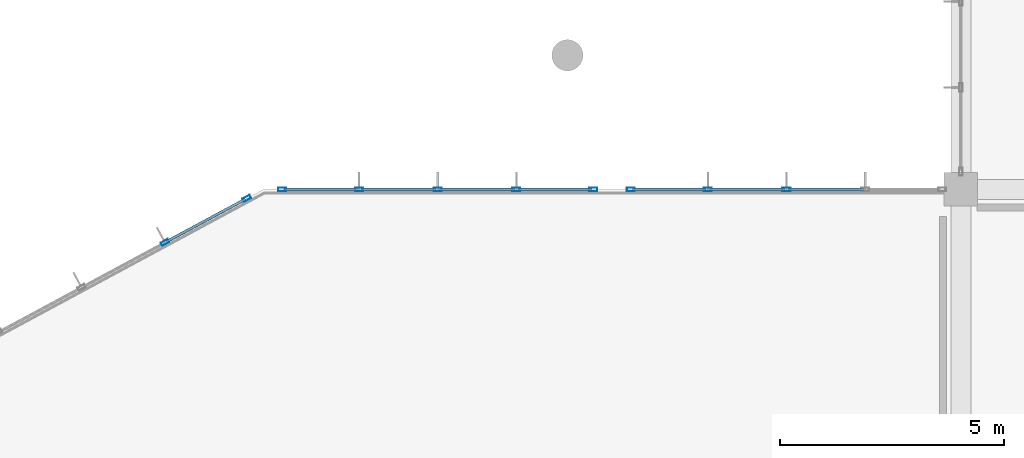
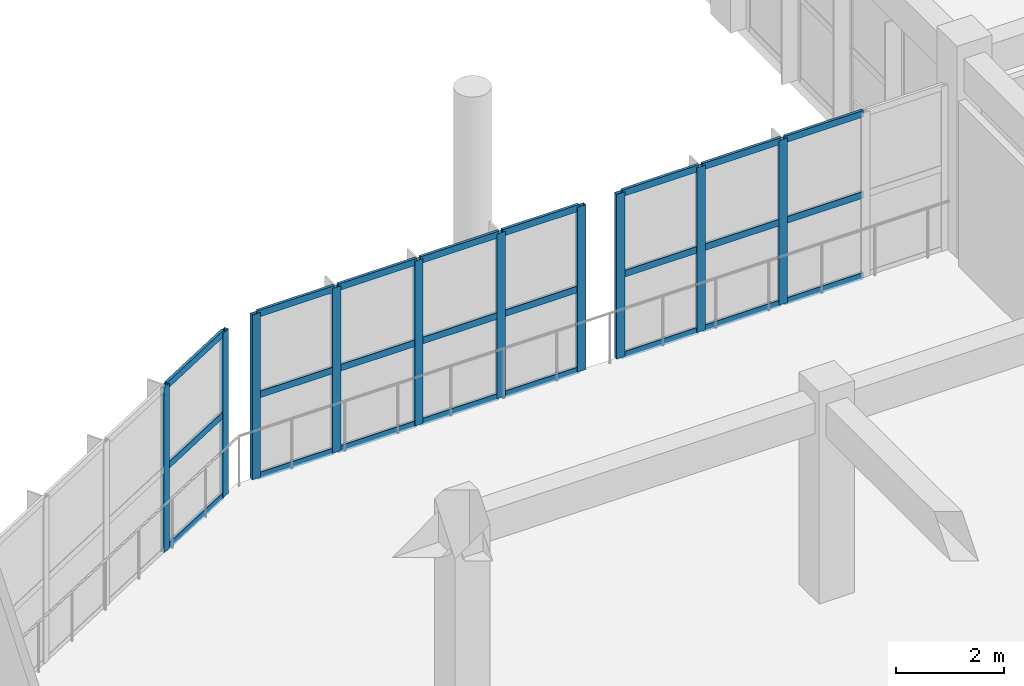
# One storey, part 46 of 167: 34 members, 3 elements without a shape of their own.
"""IFC4 building model written with IfcOpenShell, lengths in metres."""

from ifc_helpers import new_model, si_unit, direction, frame, origin, origin_2d, place, context, subcontext, project, spatial, hollow_rectangle, extrude, material, layer, layer_set, material_profile, profile_set, type_object, element, aggregate, save


model = new_model("IFC4")

# Units and contexts
model_context = context("Model", 3, precision=1e-05, world=origin(), true_north=direction((0.0, 1.0)))
body_context = subcontext(model_context, "Body", "Model", "MODEL_VIEW")
ifc_project = project(units=[si_unit("LENGTHUNIT", "METRE"), si_unit("AREAUNIT", "SQUARE_METRE"), si_unit("VOLUMEUNIT", "CUBIC_METRE"), si_unit("PLANEANGLEUNIT", "RADIAN"), si_unit("MASSUNIT", "GRAM", prefix="KILO")], contexts=[model_context])

# Site, building, storey
site_placement = place(None, origin())
site = spatial("IfcSite", under=ifc_project, at=site_placement, CompositionType="ELEMENT")
building_placement = place(site_placement, origin())
building = spatial("IfcBuilding", under=site, at=building_placement, Name="Zizhar Promenade General Hospital", CompositionType="ELEMENT")
storey_placement = place(building_placement, frame((0.0, 0.0, 9.60009765625)))
storey = spatial("IfcBuildingStorey", under=building, at=storey_placement, Name="L02", CompositionType="ELEMENT", Elevation=9.60009765625)

# Curtain wall, members
ifc_material_1 = material(Name="Anodised aluminium 6063-T6 and low-E glass", Category="aluminium")
ifc_layer = layer(ifc_material_1, 0.159912109375)
ifc_layer_set = layer_set([ifc_layer], Name="Anodised aluminium 6063-T6 and low-E glass")
curtain_wall_type = type_object("IfcCurtainWallType", Name="CW-DT-MOD2", PredefinedType="NOTDEFINED", material=ifc_layer_set)
curtain_wall_1_placement = place(storey_placement, origin())
curtain_wall_1 = element("IfcCurtainWall", 1, at=curtain_wall_1_placement, inside=storey, type_object=curtain_wall_type, Name="West Diagnostic Arm Glazed Curtain Wall L02-NW3", PredefinedType="NOTDEFINED")
ifc_material_2 = material(Name="Anodised aluminium 6063-T6", Category="aluminium")
ifc_material_profile_1 = material_profile(ifc_material_2, hollow_rectangle(XDim=0.080078125, YDim=0.179931640625, WallThickness=0.0048828125, at=origin_2d()))
ifc_profile_set_1 = profile_set([ifc_material_profile_1], Name="Anodised aluminium 6063-T6")
member_type_1 = type_object("IfcMemberType", Name="CWM-ALU-180x80", PredefinedType="MULLION", material=ifc_profile_set_1)
member_1_placement = place(storey_placement, frame((28.9990234375, 82.81494140625, 0.0), z_axis=(0.0, 0.0, 1.0), x_axis=(-0.474097009774, 0.880472614749, 0.0)))
member_1 = element("IfcMember", 2, at=member_1_placement, type_object=member_type_1, Name="CW-08 mullion 8", PredefinedType="MULLION", context=body_context, shape_type="SweptSolid", body=[
    extrude(hollow_rectangle(XDim=0.080078125, YDim=0.179931640625, WallThickness=0.0048828125, at=origin_2d()), origin(), (0.0, 0.0, 1.0), 3.72998046875),
])
member_2_placement = place(storey_placement, frame((30.830078125, 83.80078125, 0.0), z_axis=(0.0, 0.0, 1.0), x_axis=(-0.474097009774, 0.880472614749, 0.0)))
member_2 = element("IfcMember", 3, at=member_2_placement, type_object=member_type_1, Name="CW-08 mullion 9", PredefinedType="MULLION", context=body_context, shape_type="SweptSolid", body=[
    extrude(hollow_rectangle(XDim=0.080078125, YDim=0.179931640625, WallThickness=0.0048828125, at=origin_2d()), origin(), (0.0, 0.0, 1.0), 3.72998046875),
])

curtain_wall_2_placement = place(storey_placement, origin())
curtain_wall_2 = element("IfcCurtainWall", 4, at=curtain_wall_2_placement, inside=storey, type_object=curtain_wall_type, Name="West Diagnostic Arm Glazed Curtain Wall L02-N1", PredefinedType="NOTDEFINED")
member_3_placement = place(storey_placement, frame((31.6201171875, 84.0, 0.0), z_axis=(0.0, 0.0, 1.0), x_axis=(0.0, 1.0, 0.0)))
member_3 = element("IfcMember", 5, at=member_3_placement, type_object=member_type_1, Name="CW-08 mullion 1", PredefinedType="MULLION", context=body_context, shape_type="SweptSolid", body=[
    extrude(hollow_rectangle(XDim=0.080078125, YDim=0.179931640625, WallThickness=0.0048828125, at=origin_2d()), origin(), (0.0, 0.0, 1.0), 3.72998046875),
])
member_4_placement = place(storey_placement, frame((33.340087890625, 84.0, 0.0), z_axis=(0.0, 0.0, 1.0), x_axis=(0.0, 1.0, 0.0)))
member_4 = element("IfcMember", 6, at=member_4_placement, type_object=member_type_1, Name="CW-08 mullion 2", PredefinedType="MULLION", context=body_context, shape_type="SweptSolid", body=[
    extrude(hollow_rectangle(XDim=0.080078125, YDim=0.179931640625, WallThickness=0.0048828125, at=origin_2d()), origin(), (0.0, 0.0, 1.0), 3.72998046875),
])
member_5_placement = place(storey_placement, frame((35.10009765625, 84.0, 0.0), z_axis=(0.0, 0.0, 1.0), x_axis=(0.0, 1.0, 0.0)))
member_5 = element("IfcMember", 7, at=member_5_placement, type_object=member_type_1, Name="CW-08 mullion 3", PredefinedType="MULLION", context=body_context, shape_type="SweptSolid", body=[
    extrude(hollow_rectangle(XDim=0.080078125, YDim=0.179931640625, WallThickness=0.0048828125, at=origin_2d()), origin(), (0.0, 0.0, 1.0), 3.72998046875),
])
member_6_placement = place(storey_placement, frame((36.860107421875, 84.0, 0.0), z_axis=(0.0, 0.0, 1.0), x_axis=(0.0, 1.0, 0.0)))
member_6 = element("IfcMember", 8, at=member_6_placement, type_object=member_type_1, Name="CW-08 mullion 4", PredefinedType="MULLION", context=body_context, shape_type="SweptSolid", body=[
    extrude(hollow_rectangle(XDim=0.080078125, YDim=0.179931640625, WallThickness=0.0048828125, at=origin_2d()), origin(), (0.0, 0.0, 1.0), 3.72998046875),
])
member_7_placement = place(storey_placement, frame((38.580078125, 84.0, 0.0), z_axis=(0.0, 0.0, 1.0), x_axis=(0.0, 1.0, 0.0)))
member_7 = element("IfcMember", 9, at=member_7_placement, type_object=member_type_1, Name="CW-08 mullion 5", PredefinedType="MULLION", context=body_context, shape_type="SweptSolid", body=[
    extrude(hollow_rectangle(XDim=0.080078125, YDim=0.179931640625, WallThickness=0.0048828125, at=origin_2d()), origin(), (0.0, 0.0, 1.0), 3.72998046875),
])

curtain_wall_3_placement = place(storey_placement, origin())
curtain_wall_3 = element("IfcCurtainWall", 10, at=curtain_wall_3_placement, inside=storey, type_object=curtain_wall_type, Name="West Diagnostic Arm Glazed Curtain Wall L02-N2", PredefinedType="NOTDEFINED")
member_8_placement = place(storey_placement, frame((39.419921875, 84.0, 0.0), z_axis=(0.0, 0.0, 1.0), x_axis=(0.0, 1.0, 0.0)))
member_8 = element("IfcMember", 11, at=member_8_placement, type_object=member_type_1, Name="CW-08 mullion 1", PredefinedType="MULLION", context=body_context, shape_type="SweptSolid", body=[
    extrude(hollow_rectangle(XDim=0.080078125, YDim=0.179931640625, WallThickness=0.0048828125, at=origin_2d()), origin(), (0.0, 0.0, 1.0), 3.72998046875),
])
member_9_placement = place(storey_placement, frame((41.139892578125, 84.0, 0.0), z_axis=(0.0, 0.0, 1.0), x_axis=(0.0, 1.0, 0.0)))
member_9 = element("IfcMember", 12, at=member_9_placement, type_object=member_type_1, Name="CW-08 mullion 2", PredefinedType="MULLION", context=body_context, shape_type="SweptSolid", body=[
    extrude(hollow_rectangle(XDim=0.080078125, YDim=0.179931640625, WallThickness=0.0048828125, at=origin_2d()), origin(), (0.0, 0.0, 1.0), 3.72998046875),
])
member_10_placement = place(storey_placement, frame((42.89990234375, 84.0, 0.0), z_axis=(0.0, 0.0, 1.0), x_axis=(0.0, 1.0, 0.0)))
member_10 = element("IfcMember", 13, at=member_10_placement, type_object=member_type_1, Name="CW-08 mullion 3", PredefinedType="MULLION", context=body_context, shape_type="SweptSolid", body=[
    extrude(hollow_rectangle(XDim=0.080078125, YDim=0.179931640625, WallThickness=0.0048828125, at=origin_2d()), origin(), (0.0, 0.0, 1.0), 3.72998046875),
])

# Member
ifc_material_3 = material(Name="Anodised aluminium 6063-T6", Category="aluminium")
ifc_material_profile_2 = material_profile(ifc_material_3, hollow_rectangle(XDim=0.06005859375, YDim=0.14990234375, WallThickness=0.00390625, at=origin_2d()))
ifc_profile_set_2 = profile_set([ifc_material_profile_2], Name="Anodised aluminium 6063-T6")
member_type_2 = type_object("IfcMemberType", Name="CWT-ALU-150x60", PredefinedType="USERDEFINED", material=ifc_profile_set_2)
member_11_placement = place(storey_placement, frame((29.0341796875, 82.833740234375, 0.02978515625), z_axis=(0.88043973804, 0.474158061917, 0.0), x_axis=(-0.474158061917, 0.88043973804, 0.0)))
member_11 = element("IfcMember", 14, at=member_11_placement, type_object=member_type_2, Name="CW-08 transom 8.1", ObjectType="TRANSOM", PredefinedType="USERDEFINED", context=body_context, shape_type="SweptSolid", body=[
    extrude(hollow_rectangle(XDim=0.06005859375, YDim=0.14990234375, WallThickness=0.00390625, at=origin_2d()), origin(), (0.0, 0.0, 1.0), 1.999755859375),
])

member_12_placement = place(storey_placement, frame((29.0341796875, 82.833740234375, 1.864990234375), z_axis=(0.88043973804, 0.474158061917, 0.0), x_axis=(-0.474158061917, 0.88043973804, 0.0)))
member_12 = element("IfcMember", 15, at=member_12_placement, type_object=member_type_2, Name="CW-08 transom 8.2", ObjectType="TRANSOM", PredefinedType="USERDEFINED", context=body_context, shape_type="SweptSolid", body=[
    extrude(hollow_rectangle(XDim=0.06005859375, YDim=0.14990234375, WallThickness=0.00390625, at=origin_2d()), origin(), (0.0, 0.0, 1.0), 1.999755859375),
])

member_13_placement = place(storey_placement, frame((29.0341796875, 82.833740234375, 3.699951171875), z_axis=(0.88043973804, 0.474158061917, 0.0), x_axis=(-0.474158061917, 0.88043973804, 0.0)))
member_13 = element("IfcMember", 16, at=member_13_placement, type_object=member_type_2, Name="CW-08 transom 8.3", ObjectType="TRANSOM", PredefinedType="USERDEFINED", context=body_context, shape_type="SweptSolid", body=[
    extrude(hollow_rectangle(XDim=0.06005859375, YDim=0.14990234375, WallThickness=0.00390625, at=origin_2d()), origin(), (0.0, 0.0, 1.0), 1.999755859375),
])

aggregate(curtain_wall_1, [member_1, member_2, member_11, member_12, member_13])

member_14_placement = place(storey_placement, frame((31.659912109375, 84.0, 0.02978515625), z_axis=(1.0, 0.0, 0.0), x_axis=(0.0, 1.0, 0.0)))
member_14 = element("IfcMember", 17, at=member_14_placement, type_object=member_type_2, Name="CW-08 transom 1.1", ObjectType="TRANSOM", PredefinedType="USERDEFINED", context=body_context, shape_type="SweptSolid", body=[
    extrude(hollow_rectangle(XDim=0.06005859375, YDim=0.14990234375, WallThickness=0.00390625, at=origin_2d()), origin(), (0.0, 0.0, 1.0), 1.64013671875),
])

member_15_placement = place(storey_placement, frame((31.659912109375, 84.0, 1.864990234375), z_axis=(1.0, 0.0, 0.0), x_axis=(0.0, 1.0, 0.0)))
member_15 = element("IfcMember", 18, at=member_15_placement, type_object=member_type_2, Name="CW-08 transom 1.2", ObjectType="TRANSOM", PredefinedType="USERDEFINED", context=body_context, shape_type="SweptSolid", body=[
    extrude(hollow_rectangle(XDim=0.06005859375, YDim=0.14990234375, WallThickness=0.00390625, at=origin_2d()), origin(), (0.0, 0.0, 1.0), 1.64013671875),
])

member_16_placement = place(storey_placement, frame((31.659912109375, 84.0, 3.699951171875), z_axis=(1.0, 0.0, 0.0), x_axis=(0.0, 1.0, 0.0)))
member_16 = element("IfcMember", 19, at=member_16_placement, type_object=member_type_2, Name="CW-08 transom 1.3", ObjectType="TRANSOM", PredefinedType="USERDEFINED", context=body_context, shape_type="SweptSolid", body=[
    extrude(hollow_rectangle(XDim=0.06005859375, YDim=0.14990234375, WallThickness=0.00390625, at=origin_2d()), origin(), (0.0, 0.0, 1.0), 1.64013671875),
])

member_17_placement = place(storey_placement, frame((33.3798828125, 84.0, 0.02978515625), z_axis=(1.0, 0.0, 0.0), x_axis=(0.0, 1.0, 0.0)))
member_17 = element("IfcMember", 20, at=member_17_placement, type_object=member_type_2, Name="CW-08 transom 2.1", ObjectType="TRANSOM", PredefinedType="USERDEFINED", context=body_context, shape_type="SweptSolid", body=[
    extrude(hollow_rectangle(XDim=0.06005859375, YDim=0.14990234375, WallThickness=0.00390625, at=origin_2d()), origin(), (0.0, 0.0, 1.0), 1.68017578125),
])

member_18_placement = place(storey_placement, frame((33.3798828125, 84.0, 1.864990234375), z_axis=(1.0, 0.0, 0.0), x_axis=(0.0, 1.0, 0.0)))
member_18 = element("IfcMember", 21, at=member_18_placement, type_object=member_type_2, Name="CW-08 transom 2.2", ObjectType="TRANSOM", PredefinedType="USERDEFINED", context=body_context, shape_type="SweptSolid", body=[
    extrude(hollow_rectangle(XDim=0.06005859375, YDim=0.14990234375, WallThickness=0.00390625, at=origin_2d()), origin(), (0.0, 0.0, 1.0), 1.68017578125),
])

member_19_placement = place(storey_placement, frame((33.3798828125, 84.0, 3.699951171875), z_axis=(1.0, 0.0, 0.0), x_axis=(0.0, 1.0, 0.0)))
member_19 = element("IfcMember", 22, at=member_19_placement, type_object=member_type_2, Name="CW-08 transom 2.3", ObjectType="TRANSOM", PredefinedType="USERDEFINED", context=body_context, shape_type="SweptSolid", body=[
    extrude(hollow_rectangle(XDim=0.06005859375, YDim=0.14990234375, WallThickness=0.00390625, at=origin_2d()), origin(), (0.0, 0.0, 1.0), 1.68017578125),
])

member_20_placement = place(storey_placement, frame((35.139892578125, 84.0, 0.02978515625), z_axis=(1.0, 0.0, 0.0), x_axis=(0.0, 1.0, 0.0)))
member_20 = element("IfcMember", 23, at=member_20_placement, type_object=member_type_2, Name="CW-08 transom 3.1", ObjectType="TRANSOM", PredefinedType="USERDEFINED", context=body_context, shape_type="SweptSolid", body=[
    extrude(hollow_rectangle(XDim=0.06005859375, YDim=0.14990234375, WallThickness=0.00390625, at=origin_2d()), origin(), (0.0, 0.0, 1.0), 1.68017578125),
])

member_21_placement = place(storey_placement, frame((35.139892578125, 84.0, 1.864990234375), z_axis=(1.0, 0.0, 0.0), x_axis=(0.0, 1.0, 0.0)))
member_21 = element("IfcMember", 24, at=member_21_placement, type_object=member_type_2, Name="CW-08 transom 3.2", ObjectType="TRANSOM", PredefinedType="USERDEFINED", context=body_context, shape_type="SweptSolid", body=[
    extrude(hollow_rectangle(XDim=0.06005859375, YDim=0.14990234375, WallThickness=0.00390625, at=origin_2d()), origin(), (0.0, 0.0, 1.0), 1.68017578125),
])

member_22_placement = place(storey_placement, frame((35.139892578125, 84.0, 3.699951171875), z_axis=(1.0, 0.0, 0.0), x_axis=(0.0, 1.0, 0.0)))
member_22 = element("IfcMember", 25, at=member_22_placement, type_object=member_type_2, Name="CW-08 transom 3.3", ObjectType="TRANSOM", PredefinedType="USERDEFINED", context=body_context, shape_type="SweptSolid", body=[
    extrude(hollow_rectangle(XDim=0.06005859375, YDim=0.14990234375, WallThickness=0.00390625, at=origin_2d()), origin(), (0.0, 0.0, 1.0), 1.68017578125),
])

member_23_placement = place(storey_placement, frame((36.89990234375, 84.0, 0.02978515625), z_axis=(1.0, 0.0, 0.0), x_axis=(0.0, 1.0, 0.0)))
member_23 = element("IfcMember", 26, at=member_23_placement, type_object=member_type_2, Name="CW-08 transom 4.1", ObjectType="TRANSOM", PredefinedType="USERDEFINED", context=body_context, shape_type="SweptSolid", body=[
    extrude(hollow_rectangle(XDim=0.06005859375, YDim=0.14990234375, WallThickness=0.00390625, at=origin_2d()), origin(), (0.0, 0.0, 1.0), 1.64013671875),
])

member_24_placement = place(storey_placement, frame((36.89990234375, 84.0, 1.864990234375), z_axis=(1.0, 0.0, 0.0), x_axis=(0.0, 1.0, 0.0)))
member_24 = element("IfcMember", 27, at=member_24_placement, type_object=member_type_2, Name="CW-08 transom 4.2", ObjectType="TRANSOM", PredefinedType="USERDEFINED", context=body_context, shape_type="SweptSolid", body=[
    extrude(hollow_rectangle(XDim=0.06005859375, YDim=0.14990234375, WallThickness=0.00390625, at=origin_2d()), origin(), (0.0, 0.0, 1.0), 1.64013671875),
])

member_25_placement = place(storey_placement, frame((36.89990234375, 84.0, 3.699951171875), z_axis=(1.0, 0.0, 0.0), x_axis=(0.0, 1.0, 0.0)))
member_25 = element("IfcMember", 28, at=member_25_placement, type_object=member_type_2, Name="CW-08 transom 4.3", ObjectType="TRANSOM", PredefinedType="USERDEFINED", context=body_context, shape_type="SweptSolid", body=[
    extrude(hollow_rectangle(XDim=0.06005859375, YDim=0.14990234375, WallThickness=0.00390625, at=origin_2d()), origin(), (0.0, 0.0, 1.0), 1.64013671875),
])

aggregate(curtain_wall_2, [member_3, member_4, member_5, member_6, member_7, member_14, member_15, member_16, member_17, member_18, member_19, member_20, member_21, member_22, member_23, member_24, member_25])

member_26_placement = place(storey_placement, frame((39.4599609375, 84.0, 0.02978515625), z_axis=(1.0, 0.0, 0.0), x_axis=(0.0, 1.0, 0.0)))
member_26 = element("IfcMember", 29, at=member_26_placement, type_object=member_type_2, Name="CW-08 transom 1.1", ObjectType="TRANSOM", PredefinedType="USERDEFINED", context=body_context, shape_type="SweptSolid", body=[
    extrude(hollow_rectangle(XDim=0.06005859375, YDim=0.14990234375, WallThickness=0.00390625, at=origin_2d()), origin(), (0.0, 0.0, 1.0), 1.64013671875),
])

member_27_placement = place(storey_placement, frame((39.4599609375, 84.0, 1.864990234375), z_axis=(1.0, 0.0, 0.0), x_axis=(0.0, 1.0, 0.0)))
member_27 = element("IfcMember", 30, at=member_27_placement, type_object=member_type_2, Name="CW-08 transom 1.2", ObjectType="TRANSOM", PredefinedType="USERDEFINED", context=body_context, shape_type="SweptSolid", body=[
    extrude(hollow_rectangle(XDim=0.06005859375, YDim=0.14990234375, WallThickness=0.00390625, at=origin_2d()), origin(), (0.0, 0.0, 1.0), 1.64013671875),
])

member_28_placement = place(storey_placement, frame((39.4599609375, 84.0, 3.699951171875), z_axis=(1.0, 0.0, 0.0), x_axis=(0.0, 1.0, 0.0)))
member_28 = element("IfcMember", 31, at=member_28_placement, type_object=member_type_2, Name="CW-08 transom 1.3", ObjectType="TRANSOM", PredefinedType="USERDEFINED", context=body_context, shape_type="SweptSolid", body=[
    extrude(hollow_rectangle(XDim=0.06005859375, YDim=0.14990234375, WallThickness=0.00390625, at=origin_2d()), origin(), (0.0, 0.0, 1.0), 1.64013671875),
])

member_29_placement = place(storey_placement, frame((41.179931640625, 84.0, 0.02978515625), z_axis=(1.0, 0.0, 0.0), x_axis=(0.0, 1.0, 0.0)))
member_29 = element("IfcMember", 32, at=member_29_placement, type_object=member_type_2, Name="CW-08 transom 2.1", ObjectType="TRANSOM", PredefinedType="USERDEFINED", context=body_context, shape_type="SweptSolid", body=[
    extrude(hollow_rectangle(XDim=0.06005859375, YDim=0.14990234375, WallThickness=0.00390625, at=origin_2d()), origin(), (0.0, 0.0, 1.0), 1.68017578125),
])

member_30_placement = place(storey_placement, frame((41.179931640625, 84.0, 1.864990234375), z_axis=(1.0, 0.0, 0.0), x_axis=(0.0, 1.0, 0.0)))
member_30 = element("IfcMember", 33, at=member_30_placement, type_object=member_type_2, Name="CW-08 transom 2.2", ObjectType="TRANSOM", PredefinedType="USERDEFINED", context=body_context, shape_type="SweptSolid", body=[
    extrude(hollow_rectangle(XDim=0.06005859375, YDim=0.14990234375, WallThickness=0.00390625, at=origin_2d()), origin(), (0.0, 0.0, 1.0), 1.68017578125),
])

member_31_placement = place(storey_placement, frame((41.179931640625, 84.0, 3.699951171875), z_axis=(1.0, 0.0, 0.0), x_axis=(0.0, 1.0, 0.0)))
member_31 = element("IfcMember", 34, at=member_31_placement, type_object=member_type_2, Name="CW-08 transom 2.3", ObjectType="TRANSOM", PredefinedType="USERDEFINED", context=body_context, shape_type="SweptSolid", body=[
    extrude(hollow_rectangle(XDim=0.06005859375, YDim=0.14990234375, WallThickness=0.00390625, at=origin_2d()), origin(), (0.0, 0.0, 1.0), 1.68017578125),
])

member_32_placement = place(storey_placement, frame((42.93994140625, 84.0, 0.02978515625), z_axis=(1.0, 0.0, 0.0), x_axis=(0.0, 1.0, 0.0)))
member_32 = element("IfcMember", 35, at=member_32_placement, type_object=member_type_2, Name="CW-08 transom 3.1", ObjectType="TRANSOM", PredefinedType="USERDEFINED", context=body_context, shape_type="SweptSolid", body=[
    extrude(hollow_rectangle(XDim=0.06005859375, YDim=0.14990234375, WallThickness=0.00390625, at=origin_2d()), origin(), (0.0, 0.0, 1.0), 1.68017578125),
])

member_33_placement = place(storey_placement, frame((42.93994140625, 84.0, 1.864990234375), z_axis=(1.0, 0.0, 0.0), x_axis=(0.0, 1.0, 0.0)))
member_33 = element("IfcMember", 36, at=member_33_placement, type_object=member_type_2, Name="CW-08 transom 3.2", ObjectType="TRANSOM", PredefinedType="USERDEFINED", context=body_context, shape_type="SweptSolid", body=[
    extrude(hollow_rectangle(XDim=0.06005859375, YDim=0.14990234375, WallThickness=0.00390625, at=origin_2d()), origin(), (0.0, 0.0, 1.0), 1.68017578125),
])

member_34_placement = place(storey_placement, frame((42.93994140625, 84.0, 3.699951171875), z_axis=(1.0, 0.0, 0.0), x_axis=(0.0, 1.0, 0.0)))
member_34 = element("IfcMember", 37, at=member_34_placement, type_object=member_type_2, Name="CW-08 transom 3.3", ObjectType="TRANSOM", PredefinedType="USERDEFINED", context=body_context, shape_type="SweptSolid", body=[
    extrude(hollow_rectangle(XDim=0.06005859375, YDim=0.14990234375, WallThickness=0.00390625, at=origin_2d()), origin(), (0.0, 0.0, 1.0), 1.68017578125),
])

aggregate(curtain_wall_3, [member_8, member_9, member_10, member_26, member_27, member_28, member_29, member_30, member_31, member_32, member_33, member_34])

save(model, "model.ifc")
